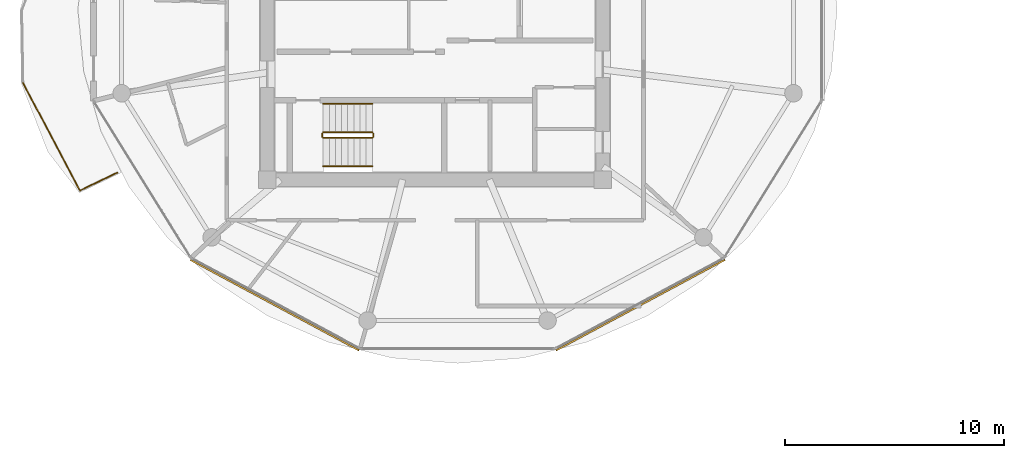
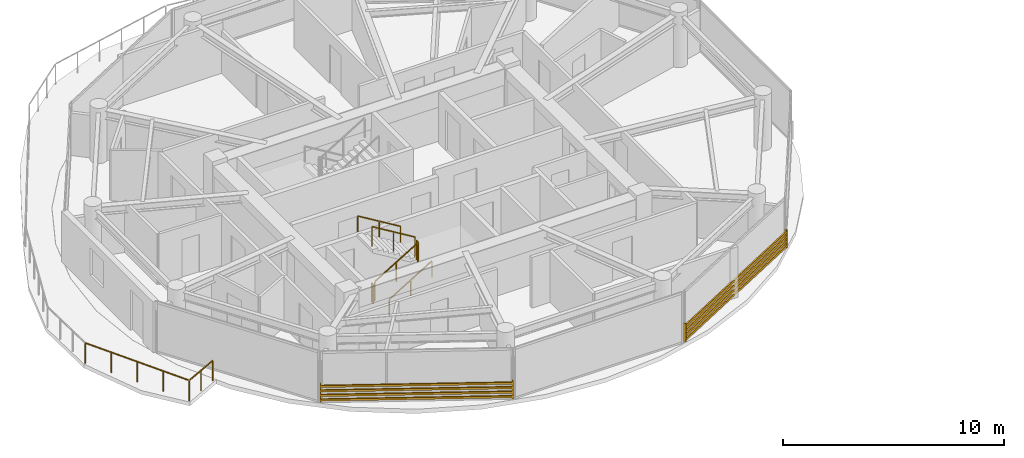
# One storey, part 19 of 22: 7 railings, 2 shading devices.
"""IFC4 building model written with IfcOpenShell, lengths in metres."""

from ifc_helpers import new_model, si_unit, direction, frame, origin, origin_2d, place, context, subcontext, project, spatial, rectangle, extrude, source, transform, mapped, material, type_object, type_shapes, element, save


model = new_model("IFC4")

# Units and contexts
model_context = context("Model", 3, precision=1e-05, world=origin(), true_north=direction((0.0, 1.0)))
body_context = subcontext(model_context, "Body", "Model", "MODEL_VIEW")
ifc_project = project(units=[si_unit("LENGTHUNIT", "METRE"), si_unit("AREAUNIT", "SQUARE_METRE"), si_unit("VOLUMEUNIT", "CUBIC_METRE"), si_unit("PLANEANGLEUNIT", "RADIAN"), si_unit("MASSUNIT", "GRAM", prefix="KILO")], contexts=[model_context])

# Site, building, storey
site_placement = place(None, origin())
site = spatial("IfcSite", under=ifc_project, at=site_placement, CompositionType="ELEMENT")
building_placement = place(site_placement, origin())
building = spatial("IfcBuilding", under=site, at=building_placement, Name="Norrkilde Senior Care Towers", CompositionType="ELEMENT")
storey_placement = place(building_placement, frame((0.0, 0.0, 152.60009765625)))
storey = spatial("IfcBuildingStorey", under=building, at=storey_placement, Name="L47", CompositionType="ELEMENT", Elevation=152.60009765625)

# Railings
ifc_material_1 = material(Name="Anodised Aluminium", Category="aluminium")
railing_type_1 = type_object("IfcRailingType", Name="Balcony Swirl Ribbon Guardrail 1150", PredefinedType="GUARDRAIL", material=ifc_material_1)
railing_1_placement = place(storey_placement, frame((-42.481689453125, -5.6298828125, 0.0)))
element("IfcRailing", 1, at=railing_1_placement, inside=storey, type_object=railing_type_1, Name="L47 Perimeter Safety Guard 04", PredefinedType="GUARDRAIL", context=body_context, shape_type="SweptSolid", body=[
    extrude(rectangle(XDim=0.048095703125, YDim=0.048095703125, at=origin_2d()), frame((0.0, 0.0, 1.1259765625), z_axis=(-0.900358219486, -0.435149487652, 0.0), x_axis=(0.435149487652, -0.900358219486, 0.0)), (0.0, 0.0, 1.0), 1.8515625),
    extrude(rectangle(XDim=0.048095703125, YDim=0.048095703125, at=origin_2d()), frame((-1.722900390625, -0.787353515625, 1.1259765625), z_axis=(-0.467463438668, 0.884012405743, 0.0), x_axis=(-0.884012405743, -0.467463438668, 0.0)), (0.0, 0.0, 1.0), 5.511962890625),
    extrude(rectangle(XDim=0.0419921875, YDim=0.0419921875, at=origin_2d()), origin(), (0.0, 0.0, 1.0), 1.099853515625),
    extrude(rectangle(XDim=0.0419921875, YDim=0.0419921875, at=origin_2d()), frame((-0.85205078125, -0.41162109375, 0.0)), (0.0, 0.0, 1.0), 1.099853515625),
    extrude(rectangle(XDim=0.0419921875, YDim=0.0419921875, at=origin_2d()), frame((-1.703857421875, -0.823486328125, 0.0)), (0.0, 0.0, 1.0), 1.099853515625),
    extrude(rectangle(XDim=0.0419921875, YDim=0.0419921875, at=origin_2d()), frame((-2.352783203125, 0.40380859375, 0.0)), (0.0, 0.0, 1.0), 1.099853515625),
    extrude(rectangle(XDim=0.0419921875, YDim=0.0419921875, at=origin_2d()), frame((-3.001708984375, 1.630859375, 0.0)), (0.0, 0.0, 1.0), 1.099853515625),
    extrude(rectangle(XDim=0.0419921875, YDim=0.0419921875, at=origin_2d()), frame((-3.650634765625, 2.85791015625, 0.0)), (0.0, 0.0, 1.0), 1.099853515625),
    extrude(rectangle(XDim=0.0419921875, YDim=0.0419921875, at=origin_2d()), frame((-4.299560546875, 4.085205078125, 0.0)), (0.0, 0.0, 1.0), 1.099853515625),
])
ifc_material_2 = material(Name="Stainless Steel", Category="steel")
railing_type_2 = type_object("IfcRailingType", Name="Stair and Terrace Guardrail 1100", PredefinedType="GUARDRAIL", material=ifc_material_2)
railing_2_placement = place(storey_placement, frame((-33.10009765625, -4.050048828125, 0.16943359375)))
element("IfcRailing", 2, at=railing_2_placement, inside=storey, type_object=railing_type_2, Name="L47 ST-W2 stair guard 1", PredefinedType="GUARDRAIL", context=body_context, shape_type="SweptSolid", body=[
    extrude(rectangle(XDim=0.048095703125, YDim=0.048095703125, at=origin_2d()), frame((0.0, 0.0, 1.076171875), z_axis=(0.855553338991, 0.0, 0.51771467445), x_axis=(0.0, 1.0, 0.0)), (0.0, 0.0, 1.0), 2.6181640625),
    extrude(rectangle(XDim=0.0419921875, YDim=0.0419921875, at=origin_2d()), origin(), (0.0, 0.0, 1.0), 1.050048828125),
    extrude(rectangle(XDim=0.0419921875, YDim=0.0419921875, at=origin_2d()), frame((1.1201171875, 0.0, 0.677734375)), (0.0, 0.0, 1.0), 1.050048828125),
    extrude(rectangle(XDim=0.0419921875, YDim=0.0419921875, at=origin_2d()), frame((2.239990234375, 0.0, 1.35546875)), (0.0, 0.0, 1.0), 1.050048828125),
])
railing_3_placement = place(storey_placement, frame((-30.81005859375, -4.0, 1.52490234375)))
element("IfcRailing", 3, at=railing_3_placement, inside=storey, type_object=railing_type_2, Name="L47 ST-W2 stair guard 2", PredefinedType="GUARDRAIL", context=body_context, shape_type="SweptSolid", body=[
    extrude(rectangle(XDim=0.048095703125, YDim=0.048095703125, at=origin_2d()), frame((0.0, 0.0, 1.076171875), z_axis=(0.0, 1.0, 0.0), x_axis=(-1.0, 0.0, 0.0)), (0.0, 0.0, 1.0), 0.14990234375),
    extrude(rectangle(XDim=0.0419921875, YDim=0.0419921875, at=origin_2d()), origin(), (0.0, 0.0, 1.0), 1.050048828125),
    extrude(rectangle(XDim=0.0419921875, YDim=0.0419921875, at=origin_2d()), frame((0.0, 0.14990234375, 0.0)), (0.0, 0.0, 1.0), 1.050048828125),
])
railing_4_placement = place(storey_placement, frame((-30.860107421875, -3.800048828125, 1.6943359375)))
element("IfcRailing", 4, at=railing_4_placement, inside=storey, type_object=railing_type_2, Name="L47 ST-W2 stair guard 3", PredefinedType="GUARDRAIL", context=body_context, shape_type="SweptSolid", body=[
    extrude(rectangle(XDim=0.048095703125, YDim=0.048095703125, at=origin_2d()), frame((0.0, 0.0, 1.076171875), z_axis=(-0.855553338991, 0.0, 0.51771467445), x_axis=(0.0, -1.0, 0.0)), (0.0, 0.0, 1.0), 2.6181640625),
    extrude(rectangle(XDim=0.0419921875, YDim=0.0419921875, at=origin_2d()), origin(), (0.0, 0.0, 1.0), 1.050048828125),
    extrude(rectangle(XDim=0.0419921875, YDim=0.0419921875, at=origin_2d()), frame((-1.1201171875, 0.0, 0.677734375)), (0.0, 0.0, 1.0), 1.050048828125),
    extrude(rectangle(XDim=0.0419921875, YDim=0.0419921875, at=origin_2d()), frame((-2.239990234375, 0.0, 1.35546875)), (0.0, 0.0, 1.0), 1.050048828125),
])
railing_5_placement = place(storey_placement, frame((-33.14990234375, -4.0, 0.0)))
element("IfcRailing", 5, at=railing_5_placement, inside=storey, type_object=railing_type_2, Name="L47 ST-W2 stair guard 4", PredefinedType="GUARDRAIL", context=body_context, shape_type="SweptSolid", body=[
    extrude(rectangle(XDim=0.048095703125, YDim=0.048095703125, at=origin_2d()), frame((0.0, 0.0, 1.076171875), z_axis=(0.0, 1.0, 0.0), x_axis=(-1.0, 0.0, 0.0)), (0.0, 0.0, 1.0), 0.14990234375),
    extrude(rectangle(XDim=0.0419921875, YDim=0.0419921875, at=origin_2d()), origin(), (0.0, 0.0, 1.0), 1.050048828125),
    extrude(rectangle(XDim=0.0419921875, YDim=0.0419921875, at=origin_2d()), frame((0.0, 0.14990234375, 0.0)), (0.0, 0.0, 1.0), 1.050048828125),
])
ifc_material_3 = material(Name="Nordic Ash Timber", Category="wood")
railing_type_3 = type_object("IfcRailingType", Name="Wall and Stair Handrail 900", PredefinedType="HANDRAIL", material=ifc_material_3)
railing_6_placement = place(storey_placement, frame((-33.10009765625, -5.35009765625, 0.16943359375)))
element("IfcRailing", 6, at=railing_6_placement, inside=storey, type_object=railing_type_3, Name="L47 ST-W2 stair handrail 1", PredefinedType="HANDRAIL", context=body_context, shape_type="SweptSolid", body=[
    extrude(rectangle(XDim=0.048095703125, YDim=0.048095703125, at=origin_2d()), frame((0.0, 0.0, 0.8759765625), z_axis=(0.855553338991, 0.0, 0.51771467445), x_axis=(0.0, 1.0, 0.0)), (0.0, 0.0, 1.0), 2.6181640625),
    extrude(rectangle(XDim=0.0419921875, YDim=0.0419921875, at=origin_2d()), origin(), (0.0, 0.0, 1.0), 0.849853515625),
    extrude(rectangle(XDim=0.0419921875, YDim=0.0419921875, at=origin_2d()), frame((1.1201171875, 0.0, 0.677734375)), (0.0, 0.0, 1.0), 0.849853515625),
    extrude(rectangle(XDim=0.0419921875, YDim=0.0419921875, at=origin_2d()), frame((2.239990234375, 0.0, 1.35546875)), (0.0, 0.0, 1.0), 0.849853515625),
])
railing_7_placement = place(storey_placement, frame((-30.860107421875, -2.5, 1.6943359375)))
element("IfcRailing", 7, at=railing_7_placement, inside=storey, type_object=railing_type_3, Name="L47 ST-W2 stair handrail 2", PredefinedType="HANDRAIL", context=body_context, shape_type="SweptSolid", body=[
    extrude(rectangle(XDim=0.048095703125, YDim=0.048095703125, at=origin_2d()), frame((0.0, 0.0, 0.8759765625), z_axis=(-0.855553338991, 0.0, 0.51771467445), x_axis=(0.0, -1.0, 0.0)), (0.0, 0.0, 1.0), 2.6181640625),
    extrude(rectangle(XDim=0.0419921875, YDim=0.0419921875, at=origin_2d()), origin(), (0.0, 0.0, 1.0), 0.849853515625),
    extrude(rectangle(XDim=0.0419921875, YDim=0.0419921875, at=origin_2d()), frame((-1.1201171875, 0.0, 0.677734375)), (0.0, 0.0, 1.0), 0.849853515625),
    extrude(rectangle(XDim=0.0419921875, YDim=0.0419921875, at=origin_2d()), frame((-2.239990234375, 0.0, 1.35546875)), (0.0, 0.0, 1.0), 0.849853515625),
])

# Shading devices
ifc_material_4 = material(Name="Architectural Terracotta", Category="masonry")
shading_device_type = type_object("IfcShadingDeviceType", Name="Horizontal Terracotta Baguette Rack", PredefinedType="USERDEFINED", material=ifc_material_4)
shared_shape_1 = source(origin(), body_context, "Body", "SweptSolid", [
    extrude(rectangle(XDim=0.070068359375, YDim=0.110107421875, at=origin_2d()), frame((0.0, 0.090087890625, 0.125), z_axis=(1.0, 0.0, 0.0), x_axis=(0.0, 1.0, 0.0)), (0.0, 0.0, 1.0), 8.741943359375),
    extrude(rectangle(XDim=0.070068359375, YDim=0.110107421875, at=origin_2d()), frame((0.0, 0.090087890625, 0.375), z_axis=(1.0, 0.0, 0.0), x_axis=(0.0, 1.0, 0.0)), (0.0, 0.0, 1.0), 8.741943359375),
    extrude(rectangle(XDim=0.070068359375, YDim=0.110107421875, at=origin_2d()), frame((0.0, 0.090087890625, 0.625), z_axis=(1.0, 0.0, 0.0), x_axis=(0.0, 1.0, 0.0)), (0.0, 0.0, 1.0), 8.741943359375),
    extrude(rectangle(XDim=0.070068359375, YDim=0.110107421875, at=origin_2d()), frame((0.0, 0.090087890625, 0.875), z_axis=(1.0, 0.0, 0.0), x_axis=(0.0, 1.0, 0.0)), (0.0, 0.0, 1.0), 8.741943359375),
    extrude(rectangle(XDim=0.050048828125, YDim=0.1552734375, at=origin_2d()), frame((0.02490234375, 0.047607421875, 0.0)), (0.0, 0.0, 1.0), 1.0),
    extrude(rectangle(XDim=0.050048828125, YDim=0.1552734375, at=origin_2d()), frame((8.716796875, 0.047607421875, 0.0)), (0.0, 0.0, 1.0), 1.0),
])
shading_device_1_placement = place(storey_placement, frame((-14.826904296875, -9.524169921875, 0.079833984375), z_axis=(0.0, 0.0, 1.0), x_axis=(-0.881000921608, -0.473119781048, 0.0)))
element("IfcShadingDevice", 8, at=shading_device_1_placement, inside=storey, type_object=shading_device_type, Name="L47 Drum W Terracotta Baguette Screen 09", ObjectType="BAGUETTE", PredefinedType="USERDEFINED", context=body_context, shape_type="MappedRepresentation", body=[
    mapped(shared_shape_1, transform((0.0, 0.0, 0.0), x_axis=(1.0, 0.0, 0.0), y_axis=(0.0, 1.0, 0.0), z_axis=(0.0, 0.0, 1.0), scale=1.0)),
])
shared_shape_2 = source(origin(), body_context, "Body", "SweptSolid", [
    extrude(rectangle(XDim=0.070068359375, YDim=0.110107421875, at=origin_2d()), frame((0.0, 0.090087890625, 0.125), z_axis=(1.0, 0.0, 0.0), x_axis=(0.0, 1.0, 0.0)), (0.0, 0.0, 1.0), 8.74169921875),
    extrude(rectangle(XDim=0.070068359375, YDim=0.110107421875, at=origin_2d()), frame((0.0, 0.090087890625, 0.375), z_axis=(1.0, 0.0, 0.0), x_axis=(0.0, 1.0, 0.0)), (0.0, 0.0, 1.0), 8.74169921875),
    extrude(rectangle(XDim=0.070068359375, YDim=0.110107421875, at=origin_2d()), frame((0.0, 0.090087890625, 0.625), z_axis=(1.0, 0.0, 0.0), x_axis=(0.0, 1.0, 0.0)), (0.0, 0.0, 1.0), 8.74169921875),
    extrude(rectangle(XDim=0.070068359375, YDim=0.110107421875, at=origin_2d()), frame((0.0, 0.090087890625, 0.875), z_axis=(1.0, 0.0, 0.0), x_axis=(0.0, 1.0, 0.0)), (0.0, 0.0, 1.0), 8.74169921875),
    extrude(rectangle(XDim=0.050048828125, YDim=0.1552734375, at=origin_2d()), frame((0.02490234375, 0.047607421875, 0.0)), (0.0, 0.0, 1.0), 1.0),
    extrude(rectangle(XDim=0.050048828125, YDim=0.1552734375, at=origin_2d()), frame((8.716796875, 0.047607421875, 0.0)), (0.0, 0.0, 1.0), 1.0),
])
type_shapes(shading_device_type, [shared_shape_1, shared_shape_2])
shading_device_2_placement = place(storey_placement, frame((-31.421630859375, -13.66015625, 0.079833984375), z_axis=(0.0, 0.0, 1.0), x_axis=(-0.880997598168, 0.47313299447, 0.0)))
element("IfcShadingDevice", 9, at=shading_device_2_placement, inside=storey, type_object=shading_device_type, Name="L47 Drum W Terracotta Baguette Screen 07", ObjectType="BAGUETTE", PredefinedType="USERDEFINED", context=body_context, shape_type="MappedRepresentation", body=[
    mapped(shared_shape_2, transform((0.0, 0.0, 0.0), x_axis=(1.0, 0.0, 0.0), y_axis=(0.0, 1.0, 0.0), z_axis=(0.0, 0.0, 1.0), scale=1.0)),
])

save(model, "model.ifc")
